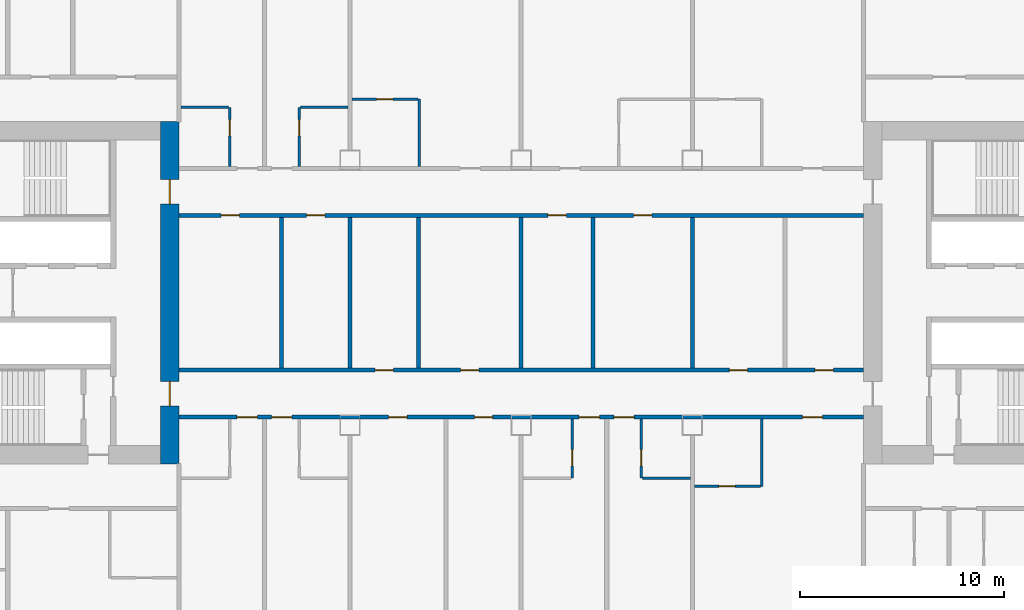
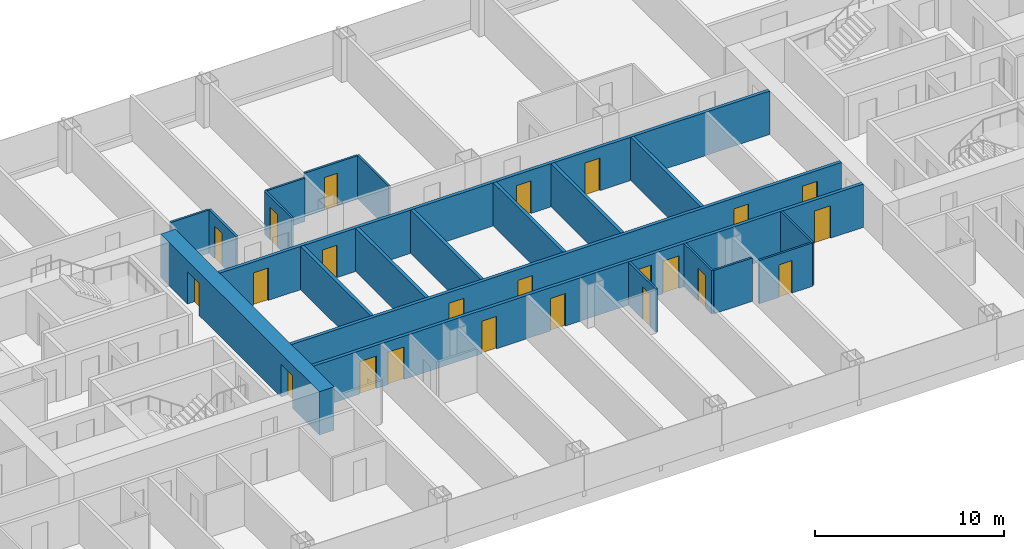
# One storey, part 16 of 29: 23 doors, 21 walls, 23 openings.
"""IFC4 building model written with IfcOpenShell, lengths in metres."""

import ifcopenshell
import ifcopenshell.guid

model = None  # the IFC model being written
_history = None  # IfcOwnerHistory: only IFC2X3 demands one
_inside = {}  # id of a spatial element -> (the spatial element, [elements in it])
_under = {}  # id of a project, library or spatial element -> (it, [spatial elements below it])
_declared = {}  # id of a project -> (the project, [libraries it declares])
_typed = {}  # id of a type object -> (the type object, [elements of that type])
_made_of = {}  # id of a material, layer set ... -> (it, [elements and type objects made of it])


def new_model(schema):
    """Start an empty IFC model of exactly this schema.

    Asked for "IFC4X3", IfcOpenShell would pick the latest addendum, in which some entities
    have other attributes; the version numbers below select the first issue.
    IFC2X3 requires an IfcOwnerHistory on every rooted entity: one is made here for all.
    """
    global model, _history
    if schema == "IFC4X3":
        model = ifcopenshell.file(schema_version=(4, 3, 0, 0))
    else:
        model = ifcopenshell.file(schema=schema)
    _inside.clear()
    _under.clear()
    _declared.clear()
    _typed.clear()
    _made_of.clear()
    _history = None
    if model.schema == "IFC2X3":
        org = make("IfcOrganization", Name="unknown")
        user = make(
            "IfcPersonAndOrganization",
            ThePerson=make("IfcPerson", FamilyName="unknown"),
            TheOrganization=org,
        )
        app = make(
            "IfcApplication",
            ApplicationDeveloper=org,
            Version="unknown",
            ApplicationFullName="unknown",
            ApplicationIdentifier="unknown",
        )
        _history = make(
            "IfcOwnerHistory",
            OwningUser=user,
            OwningApplication=app,
            ChangeAction="ADDED",
            CreationDate=0,
        )
    return model


def make(cls, **values):
    """One entity of the class cls with the attributes given. An attribute that is None is left unset."""
    return model.create_entity(
        cls, **{name: value for name, value in values.items() if value is not None}
    )


def rooted(cls, **values):
    """An entity with a GlobalId (a new one), such as an element, a storey or a relation."""
    return make(cls, GlobalId=ifcopenshell.guid.new(), OwnerHistory=_history, **values)


def si_unit(unit_type, name, prefix=None):
    """IfcSIUnit, for example si_unit("LENGTHUNIT", "METRE", prefix="MILLI")."""
    return make("IfcSIUnit", UnitType=unit_type, Prefix=prefix, Name=name)


def assignment(units):
    """IfcUnitAssignment: the units of a project."""
    return None if units is None else make("IfcUnitAssignment", Units=units)


def point(xyz):
    """IfcCartesianPoint."""
    return None if xyz is None else make("IfcCartesianPoint", Coordinates=xyz)


def direction(xyz):
    """IfcDirection."""
    return None if xyz is None else make("IfcDirection", DirectionRatios=xyz)


def frame(location, z_axis=None, x_axis=None):
    """IfcAxis2Placement3D, a coordinate frame: its origin and axes. An axis left out is left unset."""
    return make(
        "IfcAxis2Placement3D",
        Location=point(location),
        Axis=direction(z_axis),
        RefDirection=direction(x_axis),
    )


def frame_2d(location, x_axis=None):
    """IfcAxis2Placement2D, a coordinate frame in the plane: its origin and x axis."""
    return make(
        "IfcAxis2Placement2D", Location=point(location), RefDirection=direction(x_axis)
    )


def origin():
    """The frame at (0, 0, 0) with its axes left unset."""
    return frame((0.0, 0.0, 0.0))


def place(relative_to, where):
    """IfcLocalPlacement: puts the frame where relative to a parent placement (None: the world)."""
    return make(
        "IfcLocalPlacement", PlacementRelTo=relative_to, RelativePlacement=where
    )


def context(
    kind, dimensions, precision=None, world=None, true_north=None, identifier=None
):
    """IfcGeometricRepresentationContext, for example the 3D "Model" context."""
    return make(
        "IfcGeometricRepresentationContext",
        ContextIdentifier=identifier,
        ContextType=kind,
        CoordinateSpaceDimension=dimensions,
        Precision=precision,
        WorldCoordinateSystem=world,
        TrueNorth=true_north,
    )


def subcontext(parent, identifier, kind, view, scale=None):
    """IfcGeometricRepresentationSubContext, for example "Body" below "Model"."""
    return make(
        "IfcGeometricRepresentationSubContext",
        ContextIdentifier=identifier,
        ContextType=kind,
        ParentContext=parent,
        TargetScale=scale,
        TargetView=view,
    )


def project(units=None, contexts=None):
    """IfcProject with its units and contexts."""
    return rooted(
        "IfcProject",
        Name="project",
        RepresentationContexts=contexts,
        UnitsInContext=assignment(units),
    )


def spatial(cls, under=None, at=None, **own):
    """A site, building, storey or space (cls), placed at a placement, below another one or the project."""
    s = rooted(cls, ObjectPlacement=at, **own)
    if under is not None:
        _under.setdefault(under.id(), (under, []))[1].append(s)
    return s


def profile(cls, at=None, kind="AREA", **sizes):
    """A parametric profile (cls). Its sizes go by their IFC names, for example OverallWidth=200.0."""
    return make(cls, ProfileType=kind, Position=at, **sizes)


def rectangle(**sizes):
    """IfcRectangleProfileDef."""
    return profile("IfcRectangleProfileDef", **sizes)


def extrude(swept, where, along, depth):
    """IfcExtrudedAreaSolid: the profile swept, set in the frame where, extruded along a direction by depth."""
    return make(
        "IfcExtrudedAreaSolid",
        SweptArea=swept,
        Position=where,
        ExtrudedDirection=direction(along),
        Depth=depth,
    )


def shape(context_of_items, identifier, shape_type, items):
    """IfcShapeRepresentation: the items that make up one representation, for example the "Body"."""
    return make(
        "IfcShapeRepresentation",
        ContextOfItems=context_of_items,
        RepresentationIdentifier=identifier,
        RepresentationType=shape_type,
        Items=items,
    )


def material(Name=None, Category=None):
    """IfcMaterial."""
    return make("IfcMaterial", Name=Name, Category=Category)


def layer(
    of_material, thickness, ventilated=None, Name=None, Category=None, Priority=None
):
    """IfcMaterialLayer: one layer of a wall or slab, of a material (None: an air gap)."""
    return make(
        "IfcMaterialLayer",
        Material=of_material,
        LayerThickness=thickness,
        IsVentilated=ventilated,
        Name=Name,
        Category=Category,
        Priority=Priority,
    )


def layer_set(layers, Name=None):
    """IfcMaterialLayerSet."""
    return make("IfcMaterialLayerSet", MaterialLayers=layers, LayerSetName=Name)


def made_of(thing, what):
    """Note that an element or type object is made of a material, layer set ...; save() writes the relation."""
    if what is not None:
        _made_of.setdefault(what.id(), (what, []))[1].append(thing)
    return thing


def type_object(cls, material=None, **own):
    """A type object (cls), such as IfcWallType, which elements share."""
    return made_of(rooted(cls, **own), material)


def element(
    cls,
    number,
    at=None,
    inside=None,
    cuts=None,
    type_object=None,
    material=None,
    context=None,
    identifier="Body",
    shape_type=None,
    held_by="IfcProductDefinitionShape",
    body=None,
    shapes=None,
    **own,
):
    """One element of the class cls, such as IfcWall. Its Tag is "e" and its number.

    at: its placement. inside: the storey or other place that contains it. cuts: it is an
    opening in that element (IfcRelVoidsElement). A single representation is given by context,
    identifier, shape_type and body (its items); several are given by shapes. held_by: the class
    of the entity that holds the representations. save() writes the other relations.
    """
    e = rooted(cls, Tag="e%d" % number, ObjectPlacement=at, **own)
    if body is not None:
        shapes = [shape(context, identifier, shape_type, body)]
    if shapes is not None:
        e.Representation = make(held_by, Representations=shapes)
    if inside is not None:
        _inside.setdefault(inside.id(), (inside, []))[1].append(e)
    if cuts is not None:
        rooted(
            "IfcRelVoidsElement", RelatingBuildingElement=cuts, RelatedOpeningElement=e
        )
    if type_object is not None:
        _typed.setdefault(type_object.id(), (type_object, []))[1].append(e)
    return made_of(e, material)


def fill(opening, filler):
    """IfcRelFillsElement: the door or window that sits in an opening."""
    return rooted(
        "IfcRelFillsElement",
        RelatingOpeningElement=opening,
        RelatedBuildingElement=filler,
    )


def aggregate(whole, parts):
    """IfcRelAggregates: a whole, such as a stair, and the parts it consists of."""
    return rooted("IfcRelAggregates", RelatingObject=whole, RelatedObjects=parts)


def save(model, path):
    """Write the relations noted so far, then the file.

    IfcRelAggregates (storeys below a building ...), IfcRelContainedInSpatialStructure (elements
    in a storey), IfcRelDefinesByType, IfcRelAssociatesMaterial and IfcRelDeclares: one each for
    every whole, place, type object, material and project.
    """
    for whole, parts in _under.values():
        aggregate(whole, parts)
    for where, things in _inside.values():
        rooted(
            "IfcRelContainedInSpatialStructure",
            RelatedElements=things,
            RelatingStructure=where,
        )
    for kind, things in _typed.values():
        rooted("IfcRelDefinesByType", RelatedObjects=things, RelatingType=kind)
    for what, things in _made_of.values():
        rooted("IfcRelAssociatesMaterial", RelatedObjects=things, RelatingMaterial=what)
    for by, libraries in _declared.values():
        rooted("IfcRelDeclares", RelatingContext=by, RelatedDefinitions=libraries)
    model.write(path)


model = new_model("IFC4")

# Units and contexts
model_context = context("Model", 3, precision=1e-05, world=origin(), true_north=direction((0.0, 1.0)))
body_context = subcontext(model_context, "Body", "Model", "MODEL_VIEW")
ifc_project = project(units=[si_unit("LENGTHUNIT", "METRE"), si_unit("AREAUNIT", "SQUARE_METRE"), si_unit("VOLUMEUNIT", "CUBIC_METRE"), si_unit("PLANEANGLEUNIT", "RADIAN"), si_unit("MASSUNIT", "GRAM", prefix="KILO")], contexts=[model_context])

# Site, building, storey
site_placement = place(None, origin())
site = spatial("IfcSite", under=ifc_project, at=site_placement, CompositionType="ELEMENT")
building_placement = place(site_placement, origin())
building = spatial("IfcBuilding", under=site, at=building_placement, Name="Hakoniwa Tower and Hamabe Station Hall", CompositionType="ELEMENT")
storey_placement = place(building_placement, frame((0.0, 0.0, 45.39990234375)))
storey = spatial("IfcBuildingStorey", under=building, at=storey_placement, Name="L12", CompositionType="ELEMENT", Elevation=45.39990234375)

# Wall, opening, door
ifc_material_1 = material(Name="Gypsum board partition", Category="gypsum")
ifc_layer_1 = layer(ifc_material_1, 0.125)
ifc_layer_set_1 = layer_set([ifc_layer_1], Name="Bathroom Partition 125")
wall_type_1 = type_object("IfcWallType", Name="Bathroom Partition 125", PredefinedType="PARTITIONING", material=ifc_layer_set_1)
wall_1_placement = place(storey_placement, frame((8.5, -9.5, 0.0), z_axis=(0.0, 0.0, 1.0), x_axis=(1.0, 0.0, 0.0)))
wall_1 = element("IfcWall", 1, at=wall_1_placement, inside=storey, type_object=wall_type_1, Name="GW-L12-015", PredefinedType="PARTITIONING", context=body_context, shape_type="SweptSolid", body=[
    extrude(rectangle(XDim=3.237548828125, YDim=0.125, at=frame_2d((1.61865234375, 0.0))), origin(), (0.0, 0.0, 1.0), 2.800048828125),
])
opening_1_placement = place(wall_1_placement, frame((1.199951171875, 0.0, 0.0)))
opening_1 = element("IfcOpeningElement", 2, at=opening_1_placement, cuts=wall_1, Name="Opening GD-G1D1-17", PredefinedType="OPENING", context=body_context, shape_type="SweptSolid", body=[
    extrude(rectangle(XDim=0.800048828125, YDim=2.10009765625, at=frame_2d((0.39990234375, 1.050048828125))), frame((0.0, 0.072509765625, 0.0), z_axis=(0.0, -1.0, 0.0), x_axis=(1.0, 0.0, 0.0)), (0.0, 0.0, 1.0), 0.14501953125),
])
ifc_material_2 = material(Name="Timber door leaf", Category="wood")
door_type_1 = type_object("IfcDoorType", Name="Bathroom Door 800", OperationType="SINGLE_SWING_LEFT", PredefinedType="DOOR", material=ifc_material_2)
door_1_placement = place(opening_1_placement, origin())
door_1 = element("IfcDoor", 3, at=door_1_placement, inside=storey, type_object=door_type_1, Name="Door GD-G1D1-17", OperationType="SINGLE_SWING_LEFT", OverallHeight=2.10009765625, OverallWidth=0.800048828125, PredefinedType="DOOR", context=body_context, shape_type="SweptSolid", body=[
    extrude(rectangle(XDim=0.800048828125, YDim=2.10009765625, at=frame_2d((0.39990234375, 1.050048828125))), frame((0.0, 0.02490234375, 0.0), z_axis=(0.0, -1.0, 0.0), x_axis=(1.0, 0.0, 0.0)), (0.0, 0.0, 1.0), 0.050048828125),
])
fill(opening_1, door_1)

# Walls
wall_2_placement = place(storey_placement, frame((5.96240234375, -9.10009765625, 0.0), z_axis=(0.0, 0.0, 1.0), x_axis=(1.0, 0.0, 0.0)))
element("IfcWall", 4, at=wall_2_placement, inside=storey, type_object=wall_type_1, Name="GW-L12-019", PredefinedType="PARTITIONING", context=body_context, shape_type="SweptSolid", body=[
    extrude(rectangle(XDim=2.337646484375, YDim=0.125, at=frame_2d((1.1689453125, 0.0))), origin(), (0.0, 0.0, 1.0), 2.800048828125),
])
for number, where, z_axis, x_axis, name in (
    (5, (-16.699951171875, 9.10009765625, 0.0), (0.0, 0.0, 1.0), (1.0, 0.0, 0.0), "GW-L12-037"),
    (6, (-10.83740234375, 9.10009765625, 0.0), (0.0, 0.0, 1.0), (1.0, 0.0, 0.0), "GW-L12-038"),
):
    element("IfcWall", number, at=place(storey_placement, frame(where, z_axis=z_axis, x_axis=x_axis)), inside=storey, type_object=wall_type_1, Name=name, PredefinedType="PARTITIONING", context=body_context, shape_type="SweptSolid", body=[
        extrude(rectangle(XDim=2.33740234375, YDim=0.125, at=frame_2d((1.168701171875, 0.0))), origin(), (0.0, 0.0, 1.0), 2.800048828125),
    ])

# Wall, opening, door
wall_3_placement = place(storey_placement, frame((-8.300048828125, 9.5, 0.0), z_axis=(0.0, 0.0, 1.0), x_axis=(1.0, 0.0, 0.0)))
wall_3 = element("IfcWall", 7, at=wall_3_placement, inside=storey, type_object=wall_type_1, Name="GW-L12-039", PredefinedType="PARTITIONING", context=body_context, shape_type="SweptSolid", body=[
    extrude(rectangle(XDim=3.237548828125, YDim=0.125, at=frame_2d((1.61865234375, 0.0))), origin(), (0.0, 0.0, 1.0), 2.800048828125),
])
opening_2_placement = place(wall_3_placement, frame((1.199951171875, 0.0, 0.0)))
opening_2 = element("IfcOpeningElement", 8, at=opening_2_placement, cuts=wall_3, Name="Opening GD-G1D1-51", PredefinedType="OPENING", context=body_context, shape_type="SweptSolid", body=[
    extrude(rectangle(XDim=0.800048828125, YDim=2.10009765625, at=frame_2d((0.39990234375, 1.050048828125))), frame((0.0, 0.072509765625, 0.0), z_axis=(0.0, -1.0, 0.0), x_axis=(1.0, 0.0, 0.0)), (0.0, 0.0, 1.0), 0.14501953125),
])
door_2_placement = place(opening_2_placement, origin())
door_2 = element("IfcDoor", 9, at=door_2_placement, inside=storey, type_object=door_type_1, Name="Door GD-G1D1-51", OperationType="SINGLE_SWING_RIGHT", OverallHeight=2.10009765625, OverallWidth=0.800048828125, PredefinedType="DOOR", context=body_context, shape_type="SweptSolid", body=[
    extrude(rectangle(XDim=0.800048828125, YDim=2.10009765625, at=frame_2d((0.39990234375, 1.050048828125))), frame((0.0, 0.02490234375, 0.0), z_axis=(0.0, -1.0, 0.0), x_axis=(1.0, 0.0, 0.0)), (0.0, 0.0, 1.0), 0.050048828125),
])
fill(opening_2, door_2)

wall_4_placement = place(storey_placement, frame((-14.300048828125, 6.199951171875, 0.0), z_axis=(0.0, 0.0, 1.0), x_axis=(0.0, 1.0, 0.0)))
wall_4 = element("IfcWall", 10, at=wall_4_placement, inside=storey, type_object=wall_type_1, Name="GW-L12-070", PredefinedType="PARTITIONING", context=body_context, shape_type="SweptSolid", body=[
    extrude(rectangle(XDim=2.900146484375, YDim=0.125, at=frame_2d((1.4501953125, 0.0))), origin(), (0.0, 0.0, 1.0), 2.800048828125),
])
opening_3_placement = place(wall_4_placement, frame((1.5, 0.0, 0.0)))
opening_3 = element("IfcOpeningElement", 11, at=opening_3_placement, cuts=wall_4, Name="Opening GD-G1D1-70", PredefinedType="OPENING", context=body_context, shape_type="SweptSolid", body=[
    extrude(rectangle(XDim=0.800048828125, YDim=2.10009765625, at=frame_2d((0.39990234375, 1.050048828125))), frame((0.0, 0.072509765625, 0.0), z_axis=(0.0, -1.0, 0.0), x_axis=(1.0, 0.0, 0.0)), (0.0, 0.0, 1.0), 0.14501953125),
])
door_3_placement = place(opening_3_placement, origin())
door_3 = element("IfcDoor", 12, at=door_3_placement, inside=storey, type_object=door_type_1, Name="Door GD-G1D1-70", OperationType="SINGLE_SWING_LEFT", OverallHeight=2.10009765625, OverallWidth=0.800048828125, PredefinedType="DOOR", context=body_context, shape_type="SweptSolid", body=[
    extrude(rectangle(XDim=0.800048828125, YDim=2.10009765625, at=frame_2d((0.39990234375, 1.050048828125))), frame((0.0, 0.02490234375, 0.0), z_axis=(0.0, -1.0, 0.0), x_axis=(1.0, 0.0, 0.0)), (0.0, 0.0, 1.0), 0.050048828125),
])
fill(opening_3, door_3)

wall_5_placement = place(storey_placement, frame((-10.89990234375, 6.199951171875, 0.0), z_axis=(0.0, 0.0, 1.0), x_axis=(0.0, 1.0, 0.0)))
wall_5 = element("IfcWall", 13, at=wall_5_placement, inside=storey, type_object=wall_type_1, Name="GW-L12-075", PredefinedType="PARTITIONING", context=body_context, shape_type="SweptSolid", body=[
    extrude(rectangle(XDim=2.900146484375, YDim=0.125, at=frame_2d((1.4501953125, 0.0))), origin(), (0.0, 0.0, 1.0), 2.800048828125),
])
opening_4_placement = place(wall_5_placement, frame((1.5, 0.0, 0.0)))
opening_4 = element("IfcOpeningElement", 14, at=opening_4_placement, cuts=wall_5, Name="Opening GD-G1D1-72", PredefinedType="OPENING", context=body_context, shape_type="SweptSolid", body=[
    extrude(rectangle(XDim=0.800048828125, YDim=2.10009765625, at=frame_2d((0.39990234375, 1.050048828125))), frame((0.0, 0.072509765625, 0.0), z_axis=(0.0, -1.0, 0.0), x_axis=(1.0, 0.0, 0.0)), (0.0, 0.0, 1.0), 0.14501953125),
])
door_4_placement = place(opening_4_placement, origin())
door_4 = element("IfcDoor", 15, at=door_4_placement, inside=storey, type_object=door_type_1, Name="Door GD-G1D1-72", OperationType="SINGLE_SWING_RIGHT", OverallHeight=2.10009765625, OverallWidth=0.800048828125, PredefinedType="DOOR", context=body_context, shape_type="SweptSolid", body=[
    extrude(rectangle(XDim=0.800048828125, YDim=2.10009765625, at=frame_2d((0.39990234375, 1.050048828125))), frame((0.0, 0.02490234375, 0.0), z_axis=(0.0, -1.0, 0.0), x_axis=(1.0, 0.0, 0.0)), (0.0, 0.0, 1.0), 0.050048828125),
])
fill(opening_4, door_4)

# Wall
wall_6_placement = place(storey_placement, frame((-5.0, 6.199951171875, 0.0), z_axis=(0.0, 0.0, 1.0), x_axis=(0.0, 1.0, 0.0)))
element("IfcWall", 16, at=wall_6_placement, inside=storey, type_object=wall_type_1, Name="GW-L12-080", PredefinedType="PARTITIONING", context=body_context, shape_type="SweptSolid", body=[
    extrude(rectangle(XDim=3.300048828125, YDim=0.125, at=frame_2d((1.64990234375, 0.0))), origin(), (0.0, 0.0, 1.0), 2.800048828125),
])

# Wall, opening, door
wall_7_placement = place(storey_placement, frame((2.5, -9.10009765625, 0.0), z_axis=(0.0, 0.0, 1.0), x_axis=(0.0, 1.0, 0.0)))
wall_7 = element("IfcWall", 17, at=wall_7_placement, inside=storey, type_object=wall_type_1, Name="GW-L12-085", PredefinedType="PARTITIONING", context=body_context, shape_type="SweptSolid", body=[
    extrude(rectangle(XDim=2.900146484375, YDim=0.125, at=frame_2d((1.4501953125, 0.0))), origin(), (0.0, 0.0, 1.0), 2.800048828125),
])
opening_5_placement = place(wall_7_placement, frame((0.60009765625, 0.0, 0.0)))
opening_5 = element("IfcOpeningElement", 18, at=opening_5_placement, cuts=wall_7, Name="Opening GD-G1D1-73", PredefinedType="OPENING", context=body_context, shape_type="SweptSolid", body=[
    extrude(rectangle(XDim=0.800048828125, YDim=2.10009765625, at=frame_2d((0.39990234375, 1.050048828125))), frame((0.0, 0.072509765625, 0.0), z_axis=(0.0, -1.0, 0.0), x_axis=(1.0, 0.0, 0.0)), (0.0, 0.0, 1.0), 0.14501953125),
])
door_5_placement = place(opening_5_placement, origin())
door_5 = element("IfcDoor", 19, at=door_5_placement, inside=storey, type_object=door_type_1, Name="Door GD-G1D1-73", OperationType="SINGLE_SWING_RIGHT", OverallHeight=2.10009765625, OverallWidth=0.800048828125, PredefinedType="DOOR", context=body_context, shape_type="SweptSolid", body=[
    extrude(rectangle(XDim=0.800048828125, YDim=2.10009765625, at=frame_2d((0.39990234375, 1.050048828125))), frame((0.0, 0.02490234375, 0.0), z_axis=(0.0, -1.0, 0.0), x_axis=(1.0, 0.0, 0.0)), (0.0, 0.0, 1.0), 0.050048828125),
])
fill(opening_5, door_5)

wall_8_placement = place(storey_placement, frame((5.89990234375, -9.10009765625, 0.0), z_axis=(0.0, 0.0, 1.0), x_axis=(0.0, 1.0, 0.0)))
wall_8 = element("IfcWall", 20, at=wall_8_placement, inside=storey, type_object=wall_type_1, Name="GW-L12-089", PredefinedType="PARTITIONING", context=body_context, shape_type="SweptSolid", body=[
    extrude(rectangle(XDim=2.900146484375, YDim=0.125, at=frame_2d((1.4501953125, 0.0))), origin(), (0.0, 0.0, 1.0), 2.800048828125),
])
opening_6_placement = place(wall_8_placement, frame((0.60009765625, 0.0, 0.0)))
opening_6 = element("IfcOpeningElement", 21, at=opening_6_placement, cuts=wall_8, Name="Opening GD-G1D1-75", PredefinedType="OPENING", context=body_context, shape_type="SweptSolid", body=[
    extrude(rectangle(XDim=0.800048828125, YDim=2.10009765625, at=frame_2d((0.39990234375, 1.050048828125))), frame((0.0, 0.072509765625, 0.0), z_axis=(0.0, -1.0, 0.0), x_axis=(1.0, 0.0, 0.0)), (0.0, 0.0, 1.0), 0.14501953125),
])
door_6_placement = place(opening_6_placement, origin())
door_6 = element("IfcDoor", 22, at=door_6_placement, inside=storey, type_object=door_type_1, Name="Door GD-G1D1-75", OperationType="SINGLE_SWING_LEFT", OverallHeight=2.10009765625, OverallWidth=0.800048828125, PredefinedType="DOOR", context=body_context, shape_type="SweptSolid", body=[
    extrude(rectangle(XDim=0.800048828125, YDim=2.10009765625, at=frame_2d((0.39990234375, 1.050048828125))), frame((0.0, 0.02490234375, 0.0), z_axis=(0.0, -1.0, 0.0), x_axis=(1.0, 0.0, 0.0)), (0.0, 0.0, 1.0), 0.050048828125),
])
fill(opening_6, door_6)

# Wall
wall_9_placement = place(storey_placement, frame((11.800048828125, -9.5, 0.0), z_axis=(0.0, 0.0, 1.0), x_axis=(0.0, 1.0, 0.0)))
element("IfcWall", 23, at=wall_9_placement, inside=storey, type_object=wall_type_1, Name="GW-L12-093", PredefinedType="PARTITIONING", context=body_context, shape_type="SweptSolid", body=[
    extrude(rectangle(XDim=3.300048828125, YDim=0.125, at=frame_2d((1.64990234375, 0.0))), origin(), (0.0, 0.0, 1.0), 2.800048828125),
])

# Wall, openings, doors
ifc_material_3 = material(Name="Concrete C80", Category="concrete")
ifc_layer_2 = layer(ifc_material_3, 0.89990234375)
ifc_layer_set_2 = layer_set([ifc_layer_2], Name="CORE WALL 900 C80")
wall_type_2 = type_object("IfcWallType", Name="CORE WALL 900 C80", PredefinedType="SHEAR", material=ifc_layer_set_2)
wall_10_placement = place(storey_placement, frame((-17.25, -8.39990234375, 0.0), z_axis=(0.0, 0.0, 1.0), x_axis=(0.0, 1.0, 0.0)))
wall_10 = element("IfcWall", 24, at=wall_10_placement, inside=storey, type_object=wall_type_2, Name="Core wall INNER west", PredefinedType="SHEAR", context=body_context, shape_type="SweptSolid", body=[
    extrude(rectangle(XDim=16.7998046875, YDim=0.89990234375, at=frame_2d((8.39990234375, 0.0))), origin(), (0.0, 0.0, 1.0), 2.800048828125),
])
opening_7_placement = place(wall_10_placement, frame((12.75, 0.0, 0.0)))
opening_7 = element("IfcOpeningElement", 25, at=opening_7_placement, cuts=wall_10, Name="Opening CD-W-IN1-12", PredefinedType="OPENING", context=body_context, shape_type="SweptSolid", body=[
    extrude(rectangle(XDim=1.199951171875, YDim=2.10009765625, at=frame_2d((0.60009765625, 1.050048828125))), frame((0.0, 0.4599609375, 0.0), z_axis=(0.0, -1.0, 0.0), x_axis=(1.0, 0.0, 0.0)), (0.0, 0.0, 1.0), 0.919921875),
])
opening_8_placement = place(wall_10_placement, frame((2.85009765625, 0.0, 0.0)))
opening_8 = element("IfcOpeningElement", 26, at=opening_8_placement, cuts=wall_10, Name="Opening CD-W-IN2-12", PredefinedType="OPENING", context=body_context, shape_type="SweptSolid", body=[
    extrude(rectangle(XDim=1.199951171875, YDim=2.10009765625, at=frame_2d((0.60009765625, 1.050048828125))), frame((0.0, 0.4599609375, 0.0), z_axis=(0.0, -1.0, 0.0), x_axis=(1.0, 0.0, 0.0)), (0.0, 0.0, 1.0), 0.919921875),
])
ifc_material_4 = material(Name="Steel fire door", Category="steel")
door_type_2 = type_object("IfcDoorType", Name="CORE DOOR 1200 FD60", OperationType="DOUBLE_DOOR_SINGLE_SWING", PredefinedType="DOOR", material=ifc_material_4)
door_7_placement = place(opening_7_placement, origin())
door_7 = element("IfcDoor", 27, at=door_7_placement, inside=storey, type_object=door_type_2, Name="Lift lobby door", OperationType="DOUBLE_DOOR_SINGLE_SWING", OverallHeight=2.10009765625, OverallWidth=1.199951171875, PredefinedType="DOOR", context=body_context, shape_type="SweptSolid", body=[
    extrude(rectangle(XDim=1.199951171875, YDim=2.10009765625, at=frame_2d((0.60009765625, 1.050048828125))), frame((0.0, 0.02490234375, 0.0), z_axis=(0.0, -1.0, 0.0), x_axis=(1.0, 0.0, 0.0)), (0.0, 0.0, 1.0), 0.050048828125),
])
fill(opening_7, door_7)
door_8_placement = place(opening_8_placement, origin())
door_8 = element("IfcDoor", 28, at=door_8_placement, inside=storey, type_object=door_type_2, Name="Lift lobby door", OperationType="DOUBLE_DOOR_SINGLE_SWING", OverallHeight=2.10009765625, OverallWidth=1.199951171875, PredefinedType="DOOR", context=body_context, shape_type="SweptSolid", body=[
    extrude(rectangle(XDim=1.199951171875, YDim=2.10009765625, at=frame_2d((0.60009765625, 1.050048828125))), frame((0.0, 0.02490234375, 0.0), z_axis=(0.0, -1.0, 0.0), x_axis=(1.0, 0.0, 0.0)), (0.0, 0.0, 1.0), 0.050048828125),
])
fill(opening_8, door_8)

ifc_material_5 = material(Name="Fire-rated gypsum board partition", Category="gypsum")
ifc_layer_3 = layer(ifc_material_5, 0.199951171875)
ifc_layer_set_3 = layer_set([ifc_layer_3], Name="Corridor Wall 200")
wall_type_3 = type_object("IfcWallType", Name="Corridor Wall 200", PredefinedType="PARTITIONING", material=ifc_layer_set_3)
wall_11_placement = place(storey_placement, frame((-16.800048828125, -6.10009765625, 0.0), z_axis=(0.0, 0.0, 1.0), x_axis=(1.0, 0.0, 0.0)))
wall_11 = element("IfcWall", 29, at=wall_11_placement, inside=storey, type_object=wall_type_3, Name="GW-L12-022", PredefinedType="PARTITIONING", context=body_context, shape_type="SweptSolid", body=[
    extrude(rectangle(XDim=33.60009765625, YDim=0.199951171875, at=frame_2d((16.800048828125, 0.0))), origin(), (0.0, 0.0, 1.0), 2.800048828125),
])
opening_9_placement = place(wall_11_placement, frame((2.85009765625, 0.0, 0.0)))
opening_9 = element("IfcOpeningElement", 30, at=opening_9_placement, cuts=wall_11, Name="Opening GD-G1D1-21", PredefinedType="OPENING", context=body_context, shape_type="SweptSolid", body=[
    extrude(rectangle(XDim=1.0, YDim=2.10009765625, at=frame_2d((0.5, 1.050048828125))), frame((0.0, 0.10986328125, 0.0), z_axis=(0.0, -1.0, 0.0), x_axis=(1.0, 0.0, 0.0)), (0.0, 0.0, 1.0), 0.219970703125),
])
opening_10_placement = place(wall_11_placement, frame((4.550048828125, 0.0, 0.0)))
opening_10 = element("IfcOpeningElement", 31, at=opening_10_placement, cuts=wall_11, Name="Opening GD-G1D1-22", PredefinedType="OPENING", context=body_context, shape_type="SweptSolid", body=[
    extrude(rectangle(XDim=1.0, YDim=2.10009765625, at=frame_2d((0.5, 1.050048828125))), frame((0.0, 0.10986328125, 0.0), z_axis=(0.0, -1.0, 0.0), x_axis=(1.0, 0.0, 0.0)), (0.0, 0.0, 1.0), 0.219970703125),
])
opening_11_placement = place(wall_11_placement, frame((10.300048828125, 0.0, 0.0)))
opening_11 = element("IfcOpeningElement", 32, at=opening_11_placement, cuts=wall_11, Name="Opening GD-G1D1-23", PredefinedType="OPENING", context=body_context, shape_type="SweptSolid", body=[
    extrude(rectangle(XDim=0.89990234375, YDim=2.10009765625, at=frame_2d((0.449951171875, 1.050048828125))), frame((0.0, 0.10986328125, 0.0), z_axis=(0.0, -1.0, 0.0), x_axis=(1.0, 0.0, 0.0)), (0.0, 0.0, 1.0), 0.219970703125),
])
opening_12_placement = place(wall_11_placement, frame((14.5, 0.0, 0.0)))
opening_12 = element("IfcOpeningElement", 33, at=opening_12_placement, cuts=wall_11, Name="Opening GD-G1D1-24", PredefinedType="OPENING", context=body_context, shape_type="SweptSolid", body=[
    extrude(rectangle(XDim=0.89990234375, YDim=2.10009765625, at=frame_2d((0.449951171875, 1.050048828125))), frame((0.0, 0.10986328125, 0.0), z_axis=(0.0, -1.0, 0.0), x_axis=(1.0, 0.0, 0.0)), (0.0, 0.0, 1.0), 0.219970703125),
])
opening_13_placement = place(wall_11_placement, frame((19.64990234375, 0.0, 0.0)))
opening_13 = element("IfcOpeningElement", 34, at=opening_13_placement, cuts=wall_11, Name="Opening GD-G1D1-25", PredefinedType="OPENING", context=body_context, shape_type="SweptSolid", body=[
    extrude(rectangle(XDim=1.0, YDim=2.10009765625, at=frame_2d((0.5, 1.050048828125))), frame((0.0, 0.10986328125, 0.0), z_axis=(0.0, -1.0, 0.0), x_axis=(1.0, 0.0, 0.0)), (0.0, 0.0, 1.0), 0.219970703125),
])
opening_14_placement = place(wall_11_placement, frame((21.35009765625, 0.0, 0.0)))
opening_14 = element("IfcOpeningElement", 35, at=opening_14_placement, cuts=wall_11, Name="Opening GD-G1D1-26", PredefinedType="OPENING", context=body_context, shape_type="SweptSolid", body=[
    extrude(rectangle(XDim=1.0, YDim=2.10009765625, at=frame_2d((0.5, 1.050048828125))), frame((0.0, 0.10986328125, 0.0), z_axis=(0.0, -1.0, 0.0), x_axis=(1.0, 0.0, 0.0)), (0.0, 0.0, 1.0), 0.219970703125),
])
opening_15_placement = place(wall_11_placement, frame((30.60009765625, 0.0, 0.0)))
opening_15 = element("IfcOpeningElement", 36, at=opening_15_placement, cuts=wall_11, Name="Opening GD-G1D1-27", PredefinedType="OPENING", context=body_context, shape_type="SweptSolid", body=[
    extrude(rectangle(XDim=1.0, YDim=2.10009765625, at=frame_2d((0.5, 1.050048828125))), frame((0.0, 0.10986328125, 0.0), z_axis=(0.0, -1.0, 0.0), x_axis=(1.0, 0.0, 0.0)), (0.0, 0.0, 1.0), 0.219970703125),
])
ifc_material_6 = material(Name="Timber door leaf", Category="wood")
door_type_3 = type_object("IfcDoorType", Name="Guest Entrance Door 1000", OperationType="SINGLE_SWING_LEFT", PredefinedType="DOOR", material=ifc_material_6)
door_9_placement = place(opening_9_placement, origin())
door_9 = element("IfcDoor", 37, at=door_9_placement, inside=storey, type_object=door_type_3, Name="Door GD-G1D1-21", OperationType="SINGLE_SWING_LEFT", OverallHeight=2.10009765625, OverallWidth=1.0, PredefinedType="DOOR", context=body_context, shape_type="SweptSolid", body=[
    extrude(rectangle(XDim=1.0, YDim=2.10009765625, at=frame_2d((0.5, 1.050048828125))), frame((0.0, 0.02490234375, 0.0), z_axis=(0.0, -1.0, 0.0), x_axis=(1.0, 0.0, 0.0)), (0.0, 0.0, 1.0), 0.050048828125),
])
fill(opening_9, door_9)
door_10_placement = place(opening_10_placement, origin())
door_10 = element("IfcDoor", 38, at=door_10_placement, inside=storey, type_object=door_type_3, Name="Door GD-G1D1-22", OperationType="SINGLE_SWING_RIGHT", OverallHeight=2.10009765625, OverallWidth=1.0, PredefinedType="DOOR", context=body_context, shape_type="SweptSolid", body=[
    extrude(rectangle(XDim=1.0, YDim=2.10009765625, at=frame_2d((0.5, 1.050048828125))), frame((0.0, 0.02490234375, 0.0), z_axis=(0.0, -1.0, 0.0), x_axis=(1.0, 0.0, 0.0)), (0.0, 0.0, 1.0), 0.050048828125),
])
fill(opening_10, door_10)
door_11_placement = place(opening_13_placement, origin())
door_11 = element("IfcDoor", 39, at=door_11_placement, inside=storey, type_object=door_type_3, Name="Door GD-G1D1-25", OperationType="SINGLE_SWING_LEFT", OverallHeight=2.10009765625, OverallWidth=1.0, PredefinedType="DOOR", context=body_context, shape_type="SweptSolid", body=[
    extrude(rectangle(XDim=1.0, YDim=2.10009765625, at=frame_2d((0.5, 1.050048828125))), frame((0.0, 0.02490234375, 0.0), z_axis=(0.0, -1.0, 0.0), x_axis=(1.0, 0.0, 0.0)), (0.0, 0.0, 1.0), 0.050048828125),
])
fill(opening_13, door_11)
door_12_placement = place(opening_14_placement, origin())
door_12 = element("IfcDoor", 40, at=door_12_placement, inside=storey, type_object=door_type_3, Name="Door GD-G1D1-26", OperationType="SINGLE_SWING_RIGHT", OverallHeight=2.10009765625, OverallWidth=1.0, PredefinedType="DOOR", context=body_context, shape_type="SweptSolid", body=[
    extrude(rectangle(XDim=1.0, YDim=2.10009765625, at=frame_2d((0.5, 1.050048828125))), frame((0.0, 0.02490234375, 0.0), z_axis=(0.0, -1.0, 0.0), x_axis=(1.0, 0.0, 0.0)), (0.0, 0.0, 1.0), 0.050048828125),
])
fill(opening_14, door_12)
door_13_placement = place(opening_15_placement, origin())
door_13 = element("IfcDoor", 41, at=door_13_placement, inside=storey, type_object=door_type_3, Name="Door GD-G1D1-27", OperationType="SINGLE_SWING_LEFT", OverallHeight=2.10009765625, OverallWidth=1.0, PredefinedType="DOOR", context=body_context, shape_type="SweptSolid", body=[
    extrude(rectangle(XDim=1.0, YDim=2.10009765625, at=frame_2d((0.5, 1.050048828125))), frame((0.0, 0.02490234375, 0.0), z_axis=(0.0, -1.0, 0.0), x_axis=(1.0, 0.0, 0.0)), (0.0, 0.0, 1.0), 0.050048828125),
])
fill(opening_15, door_13)
ifc_material_7 = material(Name="Timber door leaf", Category="wood")
door_type_4 = type_object("IfcDoorType", Name="Service Door 900", OperationType="SINGLE_SWING_LEFT", PredefinedType="DOOR", material=ifc_material_7)
door_14_placement = place(opening_11_placement, origin())
door_14 = element("IfcDoor", 42, at=door_14_placement, inside=storey, type_object=door_type_4, Name="Door GD-G1D1-23", OperationType="SINGLE_SWING_LEFT", OverallHeight=2.10009765625, OverallWidth=0.89990234375, PredefinedType="DOOR", context=body_context, shape_type="SweptSolid", body=[
    extrude(rectangle(XDim=0.89990234375, YDim=2.10009765625, at=frame_2d((0.449951171875, 1.050048828125))), frame((0.0, 0.02490234375, 0.0), z_axis=(0.0, -1.0, 0.0), x_axis=(1.0, 0.0, 0.0)), (0.0, 0.0, 1.0), 0.050048828125),
])
fill(opening_11, door_14)
door_15_placement = place(opening_12_placement, origin())
door_15 = element("IfcDoor", 43, at=door_15_placement, inside=storey, type_object=door_type_4, Name="Door GD-G1D1-24", OperationType="SINGLE_SWING_LEFT", OverallHeight=2.10009765625, OverallWidth=0.89990234375, PredefinedType="DOOR", context=body_context, shape_type="SweptSolid", body=[
    extrude(rectangle(XDim=0.89990234375, YDim=2.10009765625, at=frame_2d((0.449951171875, 1.050048828125))), frame((0.0, 0.02490234375, 0.0), z_axis=(0.0, -1.0, 0.0), x_axis=(1.0, 0.0, 0.0)), (0.0, 0.0, 1.0), 0.050048828125),
])
fill(opening_12, door_15)

wall_12_placement = place(storey_placement, frame((-16.800048828125, -3.800048828125, 0.0), z_axis=(0.0, 0.0, 1.0), x_axis=(1.0, 0.0, 0.0)))
wall_12 = element("IfcWall", 44, at=wall_12_placement, inside=storey, type_object=wall_type_3, Name="GW-L12-026", PredefinedType="PARTITIONING", context=body_context, shape_type="SweptSolid", body=[
    extrude(rectangle(XDim=33.60009765625, YDim=0.199951171875, at=frame_2d((16.800048828125, 0.0))), origin(), (0.0, 0.0, 1.0), 2.800048828125),
])
opening_16_placement = place(wall_12_placement, frame((9.6298828125, 0.0, 0.0)))
opening_16 = element("IfcOpeningElement", 45, at=opening_16_placement, cuts=wall_12, Name="Opening GD-G1D1-31", PredefinedType="OPENING", context=body_context, shape_type="SweptSolid", body=[
    extrude(rectangle(XDim=0.89990234375, YDim=2.10009765625, at=frame_2d((0.449951171875, 1.050048828125))), frame((0.0, 0.10986328125, 0.0), z_axis=(0.0, -1.0, 0.0), x_axis=(1.0, 0.0, 0.0)), (0.0, 0.0, 1.0), 0.219970703125),
])
opening_17_placement = place(wall_12_placement, frame((13.830078125, 0.0, 0.0)))
opening_17 = element("IfcOpeningElement", 46, at=opening_17_placement, cuts=wall_12, Name="Opening GD-G1D1-32", PredefinedType="OPENING", context=body_context, shape_type="SweptSolid", body=[
    extrude(rectangle(XDim=0.89990234375, YDim=2.10009765625, at=frame_2d((0.449951171875, 1.050048828125))), frame((0.0, 0.10986328125, 0.0), z_axis=(0.0, -1.0, 0.0), x_axis=(1.0, 0.0, 0.0)), (0.0, 0.0, 1.0), 0.219970703125),
])
opening_18_placement = place(wall_12_placement, frame((27.02001953125, 0.0, 0.0)))
opening_18 = element("IfcOpeningElement", 47, at=opening_18_placement, cuts=wall_12, Name="Opening GD-G1D1-33", PredefinedType="OPENING", context=body_context, shape_type="SweptSolid", body=[
    extrude(rectangle(XDim=0.89990234375, YDim=2.10009765625, at=frame_2d((0.449951171875, 1.050048828125))), frame((0.0, 0.10986328125, 0.0), z_axis=(0.0, -1.0, 0.0), x_axis=(1.0, 0.0, 0.0)), (0.0, 0.0, 1.0), 0.219970703125),
])
opening_19_placement = place(wall_12_placement, frame((31.219970703125, 0.0, 0.0)))
opening_19 = element("IfcOpeningElement", 48, at=opening_19_placement, cuts=wall_12, Name="Opening GD-G1D1-34", PredefinedType="OPENING", context=body_context, shape_type="SweptSolid", body=[
    extrude(rectangle(XDim=0.89990234375, YDim=2.10009765625, at=frame_2d((0.449951171875, 1.050048828125))), frame((0.0, 0.10986328125, 0.0), z_axis=(0.0, -1.0, 0.0), x_axis=(1.0, 0.0, 0.0)), (0.0, 0.0, 1.0), 0.219970703125),
])
door_16_placement = place(opening_16_placement, origin())
door_16 = element("IfcDoor", 49, at=door_16_placement, inside=storey, type_object=door_type_4, Name="Door GD-G1D1-31", OperationType="SINGLE_SWING_LEFT", OverallHeight=2.10009765625, OverallWidth=0.89990234375, PredefinedType="DOOR", context=body_context, shape_type="SweptSolid", body=[
    extrude(rectangle(XDim=0.89990234375, YDim=2.10009765625, at=frame_2d((0.449951171875, 1.050048828125))), frame((0.0, 0.02490234375, 0.0), z_axis=(0.0, -1.0, 0.0), x_axis=(1.0, 0.0, 0.0)), (0.0, 0.0, 1.0), 0.050048828125),
])
fill(opening_16, door_16)
door_17_placement = place(opening_17_placement, origin())
door_17 = element("IfcDoor", 50, at=door_17_placement, inside=storey, type_object=door_type_4, Name="Door GD-G1D1-32", OperationType="SINGLE_SWING_RIGHT", OverallHeight=2.10009765625, OverallWidth=0.89990234375, PredefinedType="DOOR", context=body_context, shape_type="SweptSolid", body=[
    extrude(rectangle(XDim=0.89990234375, YDim=2.10009765625, at=frame_2d((0.449951171875, 1.050048828125))), frame((0.0, 0.02490234375, 0.0), z_axis=(0.0, -1.0, 0.0), x_axis=(1.0, 0.0, 0.0)), (0.0, 0.0, 1.0), 0.050048828125),
])
fill(opening_17, door_17)
door_18_placement = place(opening_18_placement, origin())
door_18 = element("IfcDoor", 51, at=door_18_placement, inside=storey, type_object=door_type_4, Name="Door GD-G1D1-33", OperationType="SINGLE_SWING_LEFT", OverallHeight=2.10009765625, OverallWidth=0.89990234375, PredefinedType="DOOR", context=body_context, shape_type="SweptSolid", body=[
    extrude(rectangle(XDim=0.89990234375, YDim=2.10009765625, at=frame_2d((0.449951171875, 1.050048828125))), frame((0.0, 0.02490234375, 0.0), z_axis=(0.0, -1.0, 0.0), x_axis=(1.0, 0.0, 0.0)), (0.0, 0.0, 1.0), 0.050048828125),
])
fill(opening_18, door_18)
door_19_placement = place(opening_19_placement, origin())
door_19 = element("IfcDoor", 52, at=door_19_placement, inside=storey, type_object=door_type_4, Name="Door GD-G1D1-34", OperationType="SINGLE_SWING_RIGHT", OverallHeight=2.10009765625, OverallWidth=0.89990234375, PredefinedType="DOOR", context=body_context, shape_type="SweptSolid", body=[
    extrude(rectangle(XDim=0.89990234375, YDim=2.10009765625, at=frame_2d((0.449951171875, 1.050048828125))), frame((0.0, 0.02490234375, 0.0), z_axis=(0.0, -1.0, 0.0), x_axis=(1.0, 0.0, 0.0)), (0.0, 0.0, 1.0), 0.050048828125),
])
fill(opening_19, door_19)

wall_13_placement = place(storey_placement, frame((-16.800048828125, 3.800048828125, 0.0), z_axis=(0.0, 0.0, 1.0), x_axis=(1.0, 0.0, 0.0)))
wall_13 = element("IfcWall", 53, at=wall_13_placement, inside=storey, type_object=wall_type_3, Name="GW-L12-029", PredefinedType="PARTITIONING", context=body_context, shape_type="SweptSolid", body=[
    extrude(rectangle(XDim=33.60009765625, YDim=0.199951171875, at=frame_2d((16.800048828125, 0.0))), origin(), (0.0, 0.0, 1.0), 2.800048828125),
])
opening_20_placement = place(wall_13_placement, frame((2.070068359375, 0.0, 0.0)))
opening_20 = element("IfcOpeningElement", 54, at=opening_20_placement, cuts=wall_13, Name="Opening GD-G1D1-35", PredefinedType="OPENING", context=body_context, shape_type="SweptSolid", body=[
    extrude(rectangle(XDim=0.89990234375, YDim=2.10009765625, at=frame_2d((0.449951171875, 1.050048828125))), frame((0.0, 0.10986328125, 0.0), z_axis=(0.0, -1.0, 0.0), x_axis=(1.0, 0.0, 0.0)), (0.0, 0.0, 1.0), 0.219970703125),
])
opening_21_placement = place(wall_13_placement, frame((6.27001953125, 0.0, 0.0)))
opening_21 = element("IfcOpeningElement", 55, at=opening_21_placement, cuts=wall_13, Name="Opening GD-G1D1-36", PredefinedType="OPENING", context=body_context, shape_type="SweptSolid", body=[
    extrude(rectangle(XDim=0.89990234375, YDim=2.10009765625, at=frame_2d((0.449951171875, 1.050048828125))), frame((0.0, 0.10986328125, 0.0), z_axis=(0.0, -1.0, 0.0), x_axis=(1.0, 0.0, 0.0)), (0.0, 0.0, 1.0), 0.219970703125),
])
opening_22_placement = place(wall_13_placement, frame((18.114990234375, 0.0, 0.0)))
opening_22 = element("IfcOpeningElement", 56, at=opening_22_placement, cuts=wall_13, Name="Opening GD-G1D1-37", PredefinedType="OPENING", context=body_context, shape_type="SweptSolid", body=[
    extrude(rectangle(XDim=0.89990234375, YDim=2.10009765625, at=frame_2d((0.449951171875, 1.050048828125))), frame((0.0, 0.10986328125, 0.0), z_axis=(0.0, -1.0, 0.0), x_axis=(1.0, 0.0, 0.0)), (0.0, 0.0, 1.0), 0.219970703125),
])
opening_23_placement = place(wall_13_placement, frame((22.31494140625, 0.0, 0.0)))
opening_23 = element("IfcOpeningElement", 57, at=opening_23_placement, cuts=wall_13, Name="Opening GD-G1D1-38", PredefinedType="OPENING", context=body_context, shape_type="SweptSolid", body=[
    extrude(rectangle(XDim=0.89990234375, YDim=2.10009765625, at=frame_2d((0.449951171875, 1.050048828125))), frame((0.0, 0.10986328125, 0.0), z_axis=(0.0, -1.0, 0.0), x_axis=(1.0, 0.0, 0.0)), (0.0, 0.0, 1.0), 0.219970703125),
])
door_20_placement = place(opening_20_placement, origin())
door_20 = element("IfcDoor", 58, at=door_20_placement, inside=storey, type_object=door_type_4, Name="Door GD-G1D1-35", OperationType="SINGLE_SWING_RIGHT", OverallHeight=2.10009765625, OverallWidth=0.89990234375, PredefinedType="DOOR", context=body_context, shape_type="SweptSolid", body=[
    extrude(rectangle(XDim=0.89990234375, YDim=2.10009765625, at=frame_2d((0.449951171875, 1.050048828125))), frame((0.0, 0.02490234375, 0.0), z_axis=(0.0, -1.0, 0.0), x_axis=(1.0, 0.0, 0.0)), (0.0, 0.0, 1.0), 0.050048828125),
])
fill(opening_20, door_20)
door_21_placement = place(opening_21_placement, origin())
door_21 = element("IfcDoor", 59, at=door_21_placement, inside=storey, type_object=door_type_4, Name="Door GD-G1D1-36", OperationType="SINGLE_SWING_LEFT", OverallHeight=2.10009765625, OverallWidth=0.89990234375, PredefinedType="DOOR", context=body_context, shape_type="SweptSolid", body=[
    extrude(rectangle(XDim=0.89990234375, YDim=2.10009765625, at=frame_2d((0.449951171875, 1.050048828125))), frame((0.0, 0.02490234375, 0.0), z_axis=(0.0, -1.0, 0.0), x_axis=(1.0, 0.0, 0.0)), (0.0, 0.0, 1.0), 0.050048828125),
])
fill(opening_21, door_21)
door_22_placement = place(opening_22_placement, origin())
door_22 = element("IfcDoor", 60, at=door_22_placement, inside=storey, type_object=door_type_4, Name="Door GD-G1D1-37", OperationType="SINGLE_SWING_RIGHT", OverallHeight=2.10009765625, OverallWidth=0.89990234375, PredefinedType="DOOR", context=body_context, shape_type="SweptSolid", body=[
    extrude(rectangle(XDim=0.89990234375, YDim=2.10009765625, at=frame_2d((0.449951171875, 1.050048828125))), frame((0.0, 0.02490234375, 0.0), z_axis=(0.0, -1.0, 0.0), x_axis=(1.0, 0.0, 0.0)), (0.0, 0.0, 1.0), 0.050048828125),
])
fill(opening_22, door_22)
door_23_placement = place(opening_23_placement, origin())
door_23 = element("IfcDoor", 61, at=door_23_placement, inside=storey, type_object=door_type_4, Name="Door GD-G1D1-38", OperationType="SINGLE_SWING_LEFT", OverallHeight=2.10009765625, OverallWidth=0.89990234375, PredefinedType="DOOR", context=body_context, shape_type="SweptSolid", body=[
    extrude(rectangle(XDim=0.89990234375, YDim=2.10009765625, at=frame_2d((0.449951171875, 1.050048828125))), frame((0.0, 0.02490234375, 0.0), z_axis=(0.0, -1.0, 0.0), x_axis=(1.0, 0.0, 0.0)), (0.0, 0.0, 1.0), 0.050048828125),
])
fill(opening_23, door_23)

# Walls
ifc_material_8 = material(Name="Fire-rated gypsum board partition", Category="gypsum")
ifc_layer_4 = layer(ifc_material_8, 0.199951171875)
ifc_layer_set_4 = layer_set([ifc_layer_4], Name="Party Wall 200")
wall_type_4 = type_object("IfcWallType", Name="Party Wall 200", PredefinedType="PARTITIONING", material=ifc_layer_set_4)
for number, where, z_axis, x_axis, name in (
    (62, (-11.760009765625, -3.699951171875, 0.0), (0.0, 0.0, 1.0), (0.0, 1.0, 0.0), "GW-L12-073"),
    (63, (-8.39990234375, -3.699951171875, 0.0), (0.0, 0.0, 1.0), (0.0, 1.0, 0.0), "GW-L12-077"),
    (64, (-5.0400390625, -3.699951171875, 0.0), (0.0, 0.0, 1.0), (0.0, 1.0, 0.0), "GW-L12-079"),
    (65, (0.0, -3.699951171875, 0.0), (0.0, 0.0, 1.0), (0.0, 1.0, 0.0), "GW-L12-083"),
    (66, (3.530029296875, -3.699951171875, 0.0), (0.0, 0.0, 1.0), (0.0, 1.0, 0.0), "GW-L12-086"),
    (67, (8.39990234375, -3.699951171875, 0.0), (0.0, 0.0, 1.0), (0.0, 1.0, 0.0), "GW-L12-091"),
):
    element("IfcWall", number, at=place(storey_placement, frame(where, z_axis=z_axis, x_axis=x_axis)), inside=storey, type_object=wall_type_4, Name=name, PredefinedType="PARTITIONING", context=body_context, shape_type="SweptSolid", body=[
        extrude(rectangle(XDim=7.39990234375, YDim=0.199951171875, at=frame_2d((3.699951171875, 0.0))), origin(), (0.0, 0.0, 1.0), 2.800048828125),
    ])

save(model, "model.ifc")
